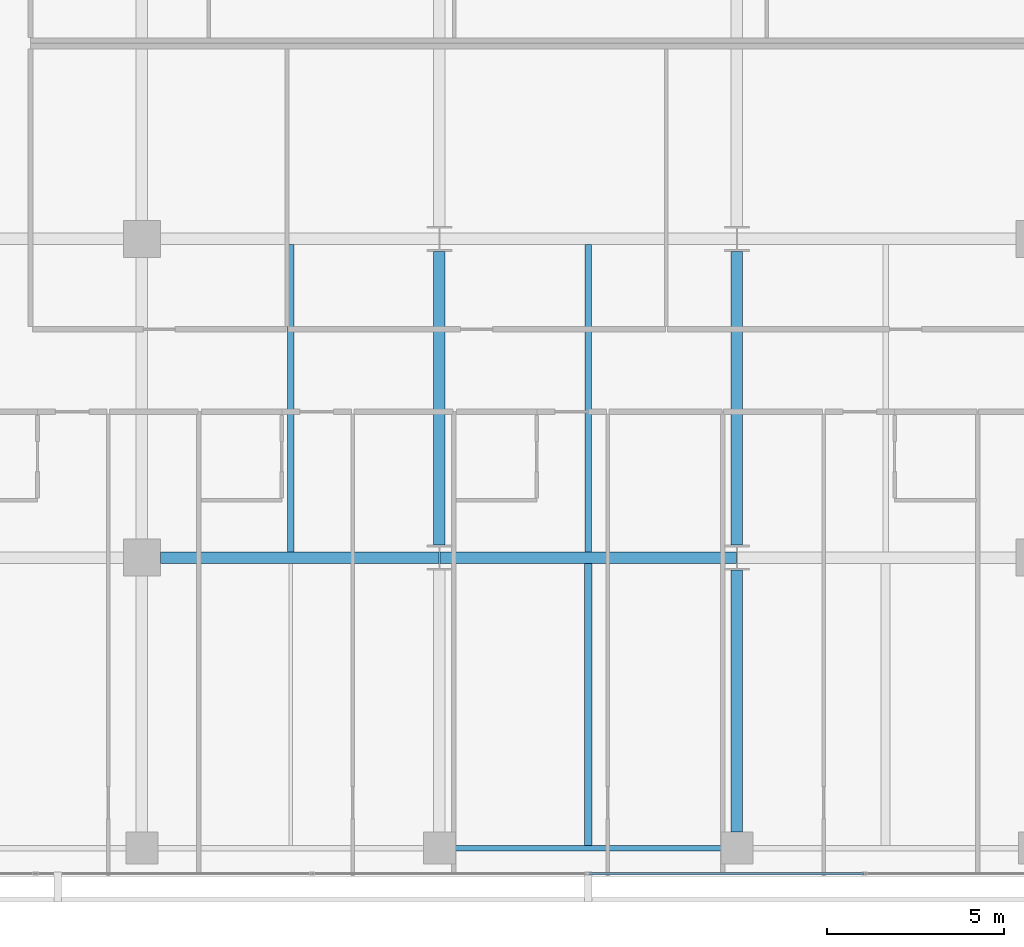
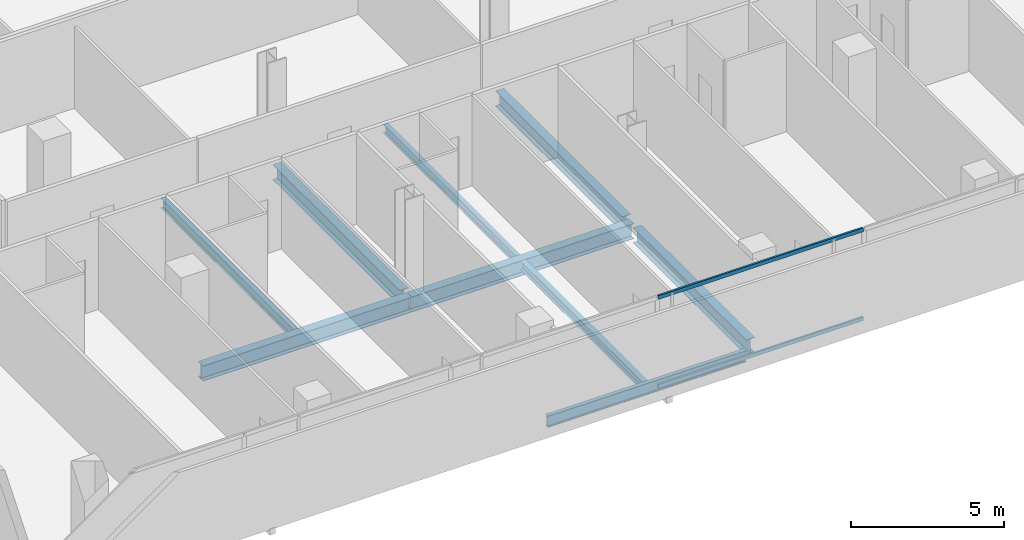
# One storey, part 9 of 40: 9 beams, 2 members, 1 element without a shape of its own.
"""IFC4 building model written with IfcOpenShell, lengths in metres."""

import ifcopenshell
import ifcopenshell.guid

model = None  # the IFC model being written
_history = None  # IfcOwnerHistory: only IFC2X3 demands one
_inside = {}  # id of a spatial element -> (the spatial element, [elements in it])
_under = {}  # id of a project, library or spatial element -> (it, [spatial elements below it])
_declared = {}  # id of a project -> (the project, [libraries it declares])
_typed = {}  # id of a type object -> (the type object, [elements of that type])
_made_of = {}  # id of a material, layer set ... -> (it, [elements and type objects made of it])


def new_model(schema):
    """Start an empty IFC model of exactly this schema.

    Asked for "IFC4X3", IfcOpenShell would pick the latest addendum, in which some entities
    have other attributes; the version numbers below select the first issue.
    IFC2X3 requires an IfcOwnerHistory on every rooted entity: one is made here for all.
    """
    global model, _history
    if schema == "IFC4X3":
        model = ifcopenshell.file(schema_version=(4, 3, 0, 0))
    else:
        model = ifcopenshell.file(schema=schema)
    _inside.clear()
    _under.clear()
    _declared.clear()
    _typed.clear()
    _made_of.clear()
    _history = None
    if model.schema == "IFC2X3":
        org = make("IfcOrganization", Name="unknown")
        user = make(
            "IfcPersonAndOrganization",
            ThePerson=make("IfcPerson", FamilyName="unknown"),
            TheOrganization=org,
        )
        app = make(
            "IfcApplication",
            ApplicationDeveloper=org,
            Version="unknown",
            ApplicationFullName="unknown",
            ApplicationIdentifier="unknown",
        )
        _history = make(
            "IfcOwnerHistory",
            OwningUser=user,
            OwningApplication=app,
            ChangeAction="ADDED",
            CreationDate=0,
        )
    return model


def make(cls, **values):
    """One entity of the class cls with the attributes given. An attribute that is None is left unset."""
    return model.create_entity(
        cls, **{name: value for name, value in values.items() if value is not None}
    )


def rooted(cls, **values):
    """An entity with a GlobalId (a new one), such as an element, a storey or a relation."""
    return make(cls, GlobalId=ifcopenshell.guid.new(), OwnerHistory=_history, **values)


def si_unit(unit_type, name, prefix=None):
    """IfcSIUnit, for example si_unit("LENGTHUNIT", "METRE", prefix="MILLI")."""
    return make("IfcSIUnit", UnitType=unit_type, Prefix=prefix, Name=name)


def assignment(units):
    """IfcUnitAssignment: the units of a project."""
    return None if units is None else make("IfcUnitAssignment", Units=units)


def point(xyz):
    """IfcCartesianPoint."""
    return None if xyz is None else make("IfcCartesianPoint", Coordinates=xyz)


def direction(xyz):
    """IfcDirection."""
    return None if xyz is None else make("IfcDirection", DirectionRatios=xyz)


def frame(location, z_axis=None, x_axis=None):
    """IfcAxis2Placement3D, a coordinate frame: its origin and axes. An axis left out is left unset."""
    return make(
        "IfcAxis2Placement3D",
        Location=point(location),
        Axis=direction(z_axis),
        RefDirection=direction(x_axis),
    )


def frame_2d(location, x_axis=None):
    """IfcAxis2Placement2D, a coordinate frame in the plane: its origin and x axis."""
    return make(
        "IfcAxis2Placement2D", Location=point(location), RefDirection=direction(x_axis)
    )


def origin():
    """The frame at (0, 0, 0) with its axes left unset."""
    return frame((0.0, 0.0, 0.0))


def origin_2d():
    """The frame at (0, 0) in the plane with its x axis left unset."""
    return frame_2d((0.0, 0.0))


def place(relative_to, where):
    """IfcLocalPlacement: puts the frame where relative to a parent placement (None: the world)."""
    return make(
        "IfcLocalPlacement", PlacementRelTo=relative_to, RelativePlacement=where
    )


def context(
    kind, dimensions, precision=None, world=None, true_north=None, identifier=None
):
    """IfcGeometricRepresentationContext, for example the 3D "Model" context."""
    return make(
        "IfcGeometricRepresentationContext",
        ContextIdentifier=identifier,
        ContextType=kind,
        CoordinateSpaceDimension=dimensions,
        Precision=precision,
        WorldCoordinateSystem=world,
        TrueNorth=true_north,
    )


def subcontext(parent, identifier, kind, view, scale=None):
    """IfcGeometricRepresentationSubContext, for example "Body" below "Model"."""
    return make(
        "IfcGeometricRepresentationSubContext",
        ContextIdentifier=identifier,
        ContextType=kind,
        ParentContext=parent,
        TargetScale=scale,
        TargetView=view,
    )


def project(units=None, contexts=None):
    """IfcProject with its units and contexts."""
    return rooted(
        "IfcProject",
        Name="project",
        RepresentationContexts=contexts,
        UnitsInContext=assignment(units),
    )


def spatial(cls, under=None, at=None, **own):
    """A site, building, storey or space (cls), placed at a placement, below another one or the project."""
    s = rooted(cls, ObjectPlacement=at, **own)
    if under is not None:
        _under.setdefault(under.id(), (under, []))[1].append(s)
    return s


def profile(cls, at=None, kind="AREA", **sizes):
    """A parametric profile (cls). Its sizes go by their IFC names, for example OverallWidth=200.0."""
    return make(cls, ProfileType=kind, Position=at, **sizes)


def hollow_rectangle(**sizes):
    """IfcRectangleHollowProfileDef."""
    return profile("IfcRectangleHollowProfileDef", **sizes)


def i_section(**sizes):
    """IfcIShapeProfileDef."""
    return profile("IfcIShapeProfileDef", **sizes)


def extrude(swept, where, along, depth):
    """IfcExtrudedAreaSolid: the profile swept, set in the frame where, extruded along a direction by depth."""
    return make(
        "IfcExtrudedAreaSolid",
        SweptArea=swept,
        Position=where,
        ExtrudedDirection=direction(along),
        Depth=depth,
    )


def shape(context_of_items, identifier, shape_type, items):
    """IfcShapeRepresentation: the items that make up one representation, for example the "Body"."""
    return make(
        "IfcShapeRepresentation",
        ContextOfItems=context_of_items,
        RepresentationIdentifier=identifier,
        RepresentationType=shape_type,
        Items=items,
    )


def material(Name=None, Category=None):
    """IfcMaterial."""
    return make("IfcMaterial", Name=Name, Category=Category)


def layer(
    of_material, thickness, ventilated=None, Name=None, Category=None, Priority=None
):
    """IfcMaterialLayer: one layer of a wall or slab, of a material (None: an air gap)."""
    return make(
        "IfcMaterialLayer",
        Material=of_material,
        LayerThickness=thickness,
        IsVentilated=ventilated,
        Name=Name,
        Category=Category,
        Priority=Priority,
    )


def layer_set(layers, Name=None):
    """IfcMaterialLayerSet."""
    return make("IfcMaterialLayerSet", MaterialLayers=layers, LayerSetName=Name)


def material_profile(
    of_material, cross_section, Name=None, Category=None, Priority=None
):
    """IfcMaterialProfile: a cross section and its material."""
    return make(
        "IfcMaterialProfile",
        Name=Name,
        Material=of_material,
        Profile=cross_section,
        Priority=Priority,
        Category=Category,
    )


def profile_set(profiles, Name=None, composite=None):
    """IfcMaterialProfileSet."""
    return make(
        "IfcMaterialProfileSet",
        Name=Name,
        MaterialProfiles=profiles,
        CompositeProfile=composite,
    )


def made_of(thing, what):
    """Note that an element or type object is made of a material, layer set ...; save() writes the relation."""
    if what is not None:
        _made_of.setdefault(what.id(), (what, []))[1].append(thing)
    return thing


def type_object(cls, material=None, **own):
    """A type object (cls), such as IfcWallType, which elements share."""
    return made_of(rooted(cls, **own), material)


def element(
    cls,
    number,
    at=None,
    inside=None,
    cuts=None,
    type_object=None,
    material=None,
    context=None,
    identifier="Body",
    shape_type=None,
    held_by="IfcProductDefinitionShape",
    body=None,
    shapes=None,
    **own,
):
    """One element of the class cls, such as IfcWall. Its Tag is "e" and its number.

    at: its placement. inside: the storey or other place that contains it. cuts: it is an
    opening in that element (IfcRelVoidsElement). A single representation is given by context,
    identifier, shape_type and body (its items); several are given by shapes. held_by: the class
    of the entity that holds the representations. save() writes the other relations.
    """
    e = rooted(cls, Tag="e%d" % number, ObjectPlacement=at, **own)
    if body is not None:
        shapes = [shape(context, identifier, shape_type, body)]
    if shapes is not None:
        e.Representation = make(held_by, Representations=shapes)
    if inside is not None:
        _inside.setdefault(inside.id(), (inside, []))[1].append(e)
    if cuts is not None:
        rooted(
            "IfcRelVoidsElement", RelatingBuildingElement=cuts, RelatedOpeningElement=e
        )
    if type_object is not None:
        _typed.setdefault(type_object.id(), (type_object, []))[1].append(e)
    return made_of(e, material)


def aggregate(whole, parts):
    """IfcRelAggregates: a whole, such as a stair, and the parts it consists of."""
    return rooted("IfcRelAggregates", RelatingObject=whole, RelatedObjects=parts)


def save(model, path):
    """Write the relations noted so far, then the file.

    IfcRelAggregates (storeys below a building ...), IfcRelContainedInSpatialStructure (elements
    in a storey), IfcRelDefinesByType, IfcRelAssociatesMaterial and IfcRelDeclares: one each for
    every whole, place, type object, material and project.
    """
    for whole, parts in _under.values():
        aggregate(whole, parts)
    for where, things in _inside.values():
        rooted(
            "IfcRelContainedInSpatialStructure",
            RelatedElements=things,
            RelatingStructure=where,
        )
    for kind, things in _typed.values():
        rooted("IfcRelDefinesByType", RelatedObjects=things, RelatingType=kind)
    for what, things in _made_of.values():
        rooted("IfcRelAssociatesMaterial", RelatedObjects=things, RelatingMaterial=what)
    for by, libraries in _declared.values():
        rooted("IfcRelDeclares", RelatingContext=by, RelatedDefinitions=libraries)
    model.write(path)


model = new_model("IFC4")

# Units and contexts
model_context = context("Model", 3, precision=1e-05, world=origin(), true_north=direction((0.0, 1.0)))
body_context = subcontext(model_context, "Body", "Model", "MODEL_VIEW")
ifc_project = project(units=[si_unit("LENGTHUNIT", "METRE"), si_unit("AREAUNIT", "SQUARE_METRE"), si_unit("VOLUMEUNIT", "CUBIC_METRE"), si_unit("PLANEANGLEUNIT", "RADIAN"), si_unit("MASSUNIT", "GRAM", prefix="KILO")], contexts=[model_context])

# Site, building, storey
site_placement = place(None, origin())
site = spatial("IfcSite", under=ifc_project, at=site_placement, CompositionType="ELEMENT")
building_placement = place(site_placement, origin())
building = spatial("IfcBuilding", under=site, at=building_placement, Name="Maruvema Waterfront Hotel and Observation Tower", CompositionType="ELEMENT")
storey_placement = place(building_placement, frame((0.0, 0.0, 80.85009765625)))
storey = spatial("IfcBuildingStorey", under=building, at=storey_placement, Name="L19", CompositionType="ELEMENT", Elevation=80.85009765625)

# Curtain wall, members
ifc_material_1 = material(Name="Anodised bronze aluminium and solar-control low-E IGU", Category="aluminium")
ifc_layer = layer(ifc_material_1, 0.159912109375, Name="Zone 1 Bronze Inner Thermal Curtain Wall System CW-02")
ifc_layer_set = layer_set([ifc_layer], Name="Anodised bronze aluminium and solar-control low-E IGU")
curtain_wall_type = type_object("IfcCurtainWallType", Name="Zone 1 Bronze Inner Thermal Curtain Wall System CW-02", PredefinedType="USERDEFINED", material=ifc_layer_set)
curtain_wall_placement = place(storey_placement, origin())
curtain_wall = element("IfcCurtainWall", 1, at=curtain_wall_placement, inside=storey, type_object=curtain_wall_type, Name="L19 Curtain Wall CW-L19-S", ObjectType="UNITISED CURTAIN WALL", PredefinedType="USERDEFINED")
ifc_material_2 = material(Name="Anodised architectural bronze aluminium", Category="aluminium")
ifc_material_profile_1 = material_profile(ifc_material_2, hollow_rectangle(XDim=0.070068359375, YDim=0.14990234375, WallThickness=0.00390625, at=origin_2d()), Name="ALU-T70x150")
ifc_profile_set_1 = profile_set([ifc_material_profile_1], Name="Anodised architectural bronze aluminium")
member_type = type_object("IfcMemberType", Name="Curtain Wall Horizontal Transom ALU-T70x150", PredefinedType="USERDEFINED", material=ifc_profile_set_1)
member_1_placement = place(storey_placement, frame((37.830078125, 0.080078125, 0.02978515625), z_axis=(1.0, 0.0, 0.0), x_axis=(0.0, 1.0, 0.0)))
member_1 = element("IfcMember", 2, at=member_1_placement, type_object=member_type, Name="CW-02 transom 4.1", ObjectType="TRANSOM", PredefinedType="USERDEFINED", context=body_context, shape_type="SweptSolid", body=[
    extrude(hollow_rectangle(XDim=0.070068359375, YDim=0.14990234375, WallThickness=0.00390625, at=origin_2d()), origin(), (0.0, 0.0, 1.0), 7.739990234375),
])
member_2_placement = place(storey_placement, frame((37.830078125, 0.080078125, 3.579833984375), z_axis=(1.0, 0.0, 0.0), x_axis=(0.0, 1.0, 0.0)))
member_2 = element("IfcMember", 3, at=member_2_placement, type_object=member_type, Name="CW-02 transom 4.2", ObjectType="TRANSOM", PredefinedType="USERDEFINED", context=body_context, shape_type="SweptSolid", body=[
    extrude(hollow_rectangle(XDim=0.070068359375, YDim=0.14990234375, WallThickness=0.00390625, at=origin_2d()), origin(), (0.0, 0.0, 1.0), 7.739990234375),
])
aggregate(curtain_wall, [member_1, member_2])

# Beams
ifc_material_3 = material(Name="Steel ASTM A572 Grade 50", Category="steel")
ifc_material_profile_2 = material_profile(ifc_material_3, i_section(OverallWidth=0.153076171875, OverallDepth=0.455078125, WebThickness=0.008056640625, FlangeThickness=0.01318359375, FilletRadius=0.014892578125, at=origin_2d()), Name="W460x60.0")
ifc_profile_set_2 = profile_set([ifc_material_profile_2], Name="Steel ASTM A572 Grade 50")
beam_type_1 = type_object("IfcBeamType", Name="Perimeter Spandrel Beam W460x60.0", PredefinedType="SPANDREL", material=ifc_profile_set_2)
beam_1_placement = place(storey_placement, frame((34.050048828125, 0.800048828125, -0.467529296875), z_axis=(1.0, 0.0, 0.0), x_axis=(0.0, 1.0, 0.0)))
element("IfcBeam", 4, at=beam_1_placement, inside=storey, type_object=beam_type_1, Name="L19 Floor Girder EW-03", PredefinedType="SPANDREL", context=body_context, shape_type="SweptSolid", body=[
    extrude(i_section(OverallWidth=0.153076171875, OverallDepth=0.455078125, WebThickness=0.008056640625, FlangeThickness=0.01318359375, FilletRadius=0.014892578125, at=origin_2d()), origin(), (0.0, 0.0, 1.0), 7.5),
])
ifc_material_4 = material(Name="Steel ASTM A572 Grade 50", Category="steel")
ifc_material_profile_3 = material_profile(ifc_material_4, i_section(OverallWidth=0.323974609375, OverallDepth=0.611083984375, WebThickness=0.0126953125, FlangeThickness=0.01904296875, FilletRadius=0.01806640625, at=origin_2d()), Name="W610x155.0")
ifc_profile_set_3 = profile_set([ifc_material_profile_3], Name="Steel ASTM A572 Grade 50")
beam_type_2 = type_object("IfcBeamType", Name="Primary Floor Girder W610x155.0", PredefinedType="BEAM", material=ifc_profile_set_3)
beam_2_placement = place(storey_placement, frame((25.72509765625, 9.0, -0.545654296875), z_axis=(1.0, 0.0, 0.0), x_axis=(0.0, 1.0, 0.0)))
element("IfcBeam", 5, at=beam_2_placement, inside=storey, type_object=beam_type_2, Name="L19 Floor Girder EW-08", PredefinedType="BEAM", context=body_context, shape_type="SweptSolid", body=[
    extrude(i_section(OverallWidth=0.323974609375, OverallDepth=0.611083984375, WebThickness=0.0126953125, FlangeThickness=0.01904296875, FilletRadius=0.01806640625, at=origin_2d()), origin(), (0.0, 0.0, 1.0), 7.86083984375),
])
beam_3_placement = place(storey_placement, frame((33.614013671875, 9.0, -0.545654296875), z_axis=(1.0, 0.0, 0.0), x_axis=(0.0, 1.0, 0.0)))
element("IfcBeam", 6, at=beam_3_placement, inside=storey, type_object=beam_type_2, Name="L19 Floor Girder EW-09", PredefinedType="BEAM", context=body_context, shape_type="SweptSolid", body=[
    extrude(i_section(OverallWidth=0.323974609375, OverallDepth=0.611083984375, WebThickness=0.0126953125, FlangeThickness=0.01904296875, FilletRadius=0.01806640625, at=origin_2d()), origin(), (0.0, 0.0, 1.0), 8.3720703125),
])
beam_4_placement = place(storey_placement, frame((33.60009765625, 9.35009765625, -0.545654296875), z_axis=(0.0, 1.0, 0.0), x_axis=(-1.0, 0.0, 0.0)))
element("IfcBeam", 7, at=beam_4_placement, inside=storey, type_object=beam_type_2, Name="L19 Floor Girder NS-17", PredefinedType="BEAM", context=body_context, shape_type="SweptSolid", body=[
    extrude(i_section(OverallWidth=0.323974609375, OverallDepth=0.611083984375, WebThickness=0.0126953125, FlangeThickness=0.01904296875, FilletRadius=0.01806640625, at=origin_2d()), origin(), (0.0, 0.0, 1.0), 8.2998046875),
])
beam_5_placement = place(storey_placement, frame((42.0, 1.25, -0.545654296875), z_axis=(0.0, 1.0, 0.0), x_axis=(-1.0, 0.0, 0.0)))
element("IfcBeam", 8, at=beam_5_placement, inside=storey, type_object=beam_type_2, Name="L19 Floor Girder NS-19", PredefinedType="BEAM", context=body_context, shape_type="SweptSolid", body=[
    extrude(i_section(OverallWidth=0.323974609375, OverallDepth=0.611083984375, WebThickness=0.0126953125, FlangeThickness=0.01904296875, FilletRadius=0.01806640625, at=origin_2d()), origin(), (0.0, 0.0, 1.0), 7.39990234375),
])
beam_6_placement = place(storey_placement, frame((42.0, 9.35009765625, -0.545654296875), z_axis=(0.0, 1.0, 0.0), x_axis=(-1.0, 0.0, 0.0)))
element("IfcBeam", 9, at=beam_6_placement, inside=storey, type_object=beam_type_2, Name="L19 Floor Girder NS-20", PredefinedType="BEAM", context=body_context, shape_type="SweptSolid", body=[
    extrude(i_section(OverallWidth=0.323974609375, OverallDepth=0.611083984375, WebThickness=0.0126953125, FlangeThickness=0.01904296875, FilletRadius=0.01806640625, at=origin_2d()), origin(), (0.0, 0.0, 1.0), 8.2998046875),
])
ifc_material_5 = material(Name="Steel ASTM A572 Grade 50", Category="steel")
ifc_material_profile_4 = material_profile(ifc_material_5, i_section(OverallWidth=0.1708984375, OverallDepth=0.35498046875, WebThickness=0.007080078125, FlangeThickness=0.01171875, FilletRadius=0.014892578125, at=origin_2d()), Name="W360x51.0")
ifc_profile_set_4 = profile_set([ifc_material_profile_4], Name="Steel ASTM A572 Grade 50")
beam_type_3 = type_object("IfcBeamType", Name="Secondary Floor Joist W360x51.0", PredefinedType="JOIST", material=ifc_profile_set_4)
beam_7_placement = place(storey_placement, frame((37.800048828125, 9.162109375, -0.41748046875), z_axis=(0.0, 1.0, 0.0), x_axis=(-1.0, 0.0, 0.0)))
element("IfcBeam", 10, at=beam_7_placement, inside=storey, type_object=beam_type_3, Name="L19 Secondary Floor Joist JS-13", PredefinedType="JOIST", context=body_context, shape_type="SweptSolid", body=[
    extrude(i_section(OverallWidth=0.1708984375, OverallDepth=0.35498046875, WebThickness=0.007080078125, FlangeThickness=0.01171875, FilletRadius=0.014892578125, at=origin_2d()), origin(), (0.0, 0.0, 1.0), 8.67578125),
])
ifc_material_6 = material(Name="Steel ASTM A572 Grade 50", Category="steel")
ifc_material_profile_5 = material_profile(ifc_material_6, i_section(OverallWidth=0.202880859375, OverallDepth=0.346923828125, WebThickness=0.0078125, FlangeThickness=0.013427734375, FilletRadius=0.014892578125, at=origin_2d()), Name="W360x64.0")
ifc_profile_set_5 = profile_set([ifc_material_profile_5], Name="Steel ASTM A572 Grade 50")
beam_type_4 = type_object("IfcBeamType", Name="Secondary Floor Joist W360x64.0", PredefinedType="JOIST", material=ifc_profile_set_5)
beam_8_placement = place(storey_placement, frame((37.800048828125, 0.87646484375, -0.41357421875), z_axis=(0.0, 1.0, 0.0), x_axis=(-1.0, 0.0, 0.0)))
element("IfcBeam", 11, at=beam_8_placement, inside=storey, type_object=beam_type_4, Name="L19 Secondary Floor Joist JS-12", PredefinedType="JOIST", context=body_context, shape_type="SweptSolid", body=[
    extrude(i_section(OverallWidth=0.202880859375, OverallDepth=0.346923828125, WebThickness=0.0078125, FlangeThickness=0.013427734375, FilletRadius=0.014892578125, at=origin_2d()), origin(), (0.0, 0.0, 1.0), 7.96142578125),
])
ifc_material_7 = material(Name="Steel ASTM A572 Grade 50", Category="steel")
ifc_material_profile_6 = material_profile(ifc_material_7, i_section(OverallWidth=0.177001953125, OverallDepth=0.403076171875, WebThickness=0.007568359375, FlangeThickness=0.010986328125, FilletRadius=0.014892578125, at=origin_2d()), Name="W410x53.0")
ifc_profile_set_6 = profile_set([ifc_material_profile_6], Name="Steel ASTM A572 Grade 50")
beam_type_5 = type_object("IfcBeamType", Name="Secondary Floor Joist W410x53.0", PredefinedType="JOIST", material=ifc_profile_set_6)
beam_9_placement = place(storey_placement, frame((29.39990234375, 9.162109375, -0.441650390625), z_axis=(0.0, 1.0, 0.0), x_axis=(-1.0, 0.0, 0.0)))
element("IfcBeam", 12, at=beam_9_placement, inside=storey, type_object=beam_type_5, Name="L19 Secondary Floor Joist JS-11", PredefinedType="JOIST", context=body_context, shape_type="SweptSolid", body=[
    extrude(i_section(OverallWidth=0.177001953125, OverallDepth=0.403076171875, WebThickness=0.007568359375, FlangeThickness=0.010986328125, FilletRadius=0.014892578125, at=origin_2d()), origin(), (0.0, 0.0, 1.0), 8.67578125),
])

save(model, "model.ifc")
